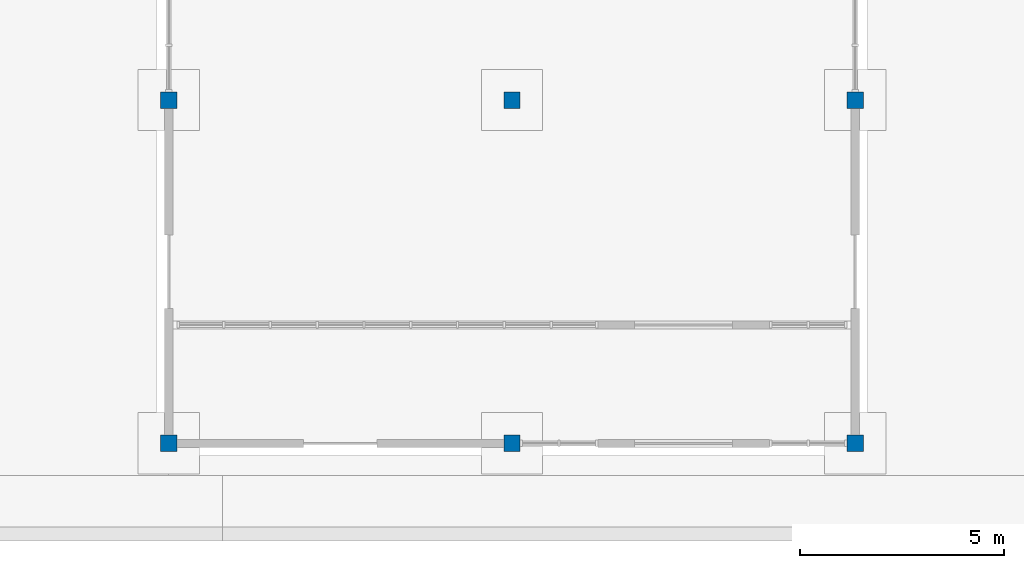
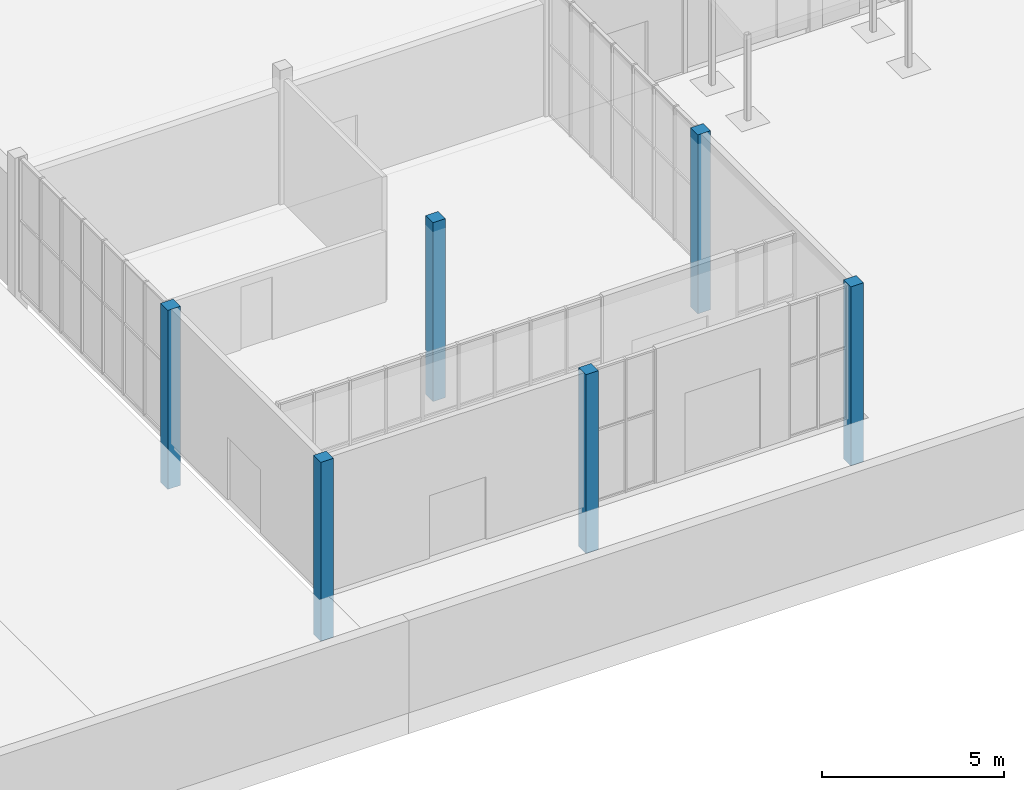
# One storey, part 6 of 36: 6 columns.
"""IFC4 building model written with IfcOpenShell, lengths in metres."""

from ifc_helpers import new_model, si_unit, direction, frame, origin, origin_2d, place, context, subcontext, project, spatial, rectangle, extrude, material, material_profile, profile_set, type_object, element, save


model = new_model("IFC4")

# Units and contexts
model_context = context("Model", 3, precision=1e-05, world=origin(), true_north=direction((0.0, 1.0)))
body_context = subcontext(model_context, "Body", "Model", "MODEL_VIEW")
ifc_project = project(units=[si_unit("LENGTHUNIT", "METRE"), si_unit("AREAUNIT", "SQUARE_METRE"), si_unit("VOLUMEUNIT", "CUBIC_METRE"), si_unit("PLANEANGLEUNIT", "RADIAN"), si_unit("MASSUNIT", "GRAM", prefix="KILO")], contexts=[model_context])

# Site, building, storey
site_placement = place(None, origin())
site = spatial("IfcSite", under=ifc_project, at=site_placement, CompositionType="ELEMENT")
building_placement = place(site_placement, origin())
building = spatial("IfcBuilding", under=site, at=building_placement, Name="Fescue Hill Polytechnic", CompositionType="ELEMENT")
storey_placement = place(building_placement, origin())
storey = spatial("IfcBuildingStorey", under=building, at=storey_placement, Name="L00", CompositionType="ELEMENT", Elevation=0.0)

# Columns
ifc_material = material(Name="Concrete 40 MPa", Category="concrete")
ifc_material_profile = material_profile(ifc_material, rectangle(XDim=0.39990234375, YDim=0.39990234375, at=origin_2d()), Name="RC 400x400")
ifc_profile_set = profile_set([ifc_material_profile], Name="Concrete 40 MPa")
column_type = type_object("IfcColumnType", Name="Column RC 400x400", PredefinedType="COLUMN", material=ifc_profile_set)
for number, where, z_axis, x_axis, name in (
    (1, (126.0, -8.39990234375, -1.5), (0.0, 0.0, 1.0), (1.0, 0.0, 0.0), "COL-L00-V7-001"),
    (2, (126.0, 0.0, -1.5), (0.0, 0.0, 1.0), (1.0, 0.0, 0.0), "COL-L00-V7-002"),
    (3, (134.39990234375, -8.39990234375, -1.5), (0.0, 0.0, 1.0), (1.0, 0.0, 0.0), "COL-L00-V7-003"),
    (4, (134.39990234375, 0.0, -1.5), (0.0, 0.0, 1.0), (1.0, 0.0, 0.0), "COL-L00-V7-004"),
    (5, (142.800048828125, -8.39990234375, -1.5), (0.0, 0.0, 1.0), (1.0, 0.0, 0.0), "COL-L00-V7-005"),
    (6, (142.800048828125, 0.0, -1.5), (0.0, 0.0, 1.0), (1.0, 0.0, 0.0), "COL-L00-V7-006"),
):
    element("IfcColumn", number, at=place(storey_placement, frame(where, z_axis=z_axis, x_axis=x_axis)), inside=storey, type_object=column_type, Name=name, PredefinedType="COLUMN", context=body_context, shape_type="SweptSolid", body=[
        extrude(rectangle(XDim=0.39990234375, YDim=0.39990234375, at=origin_2d()), origin(), (0.0, 0.0, 1.0), 6.0),
    ])

save(model, "model.ifc")
